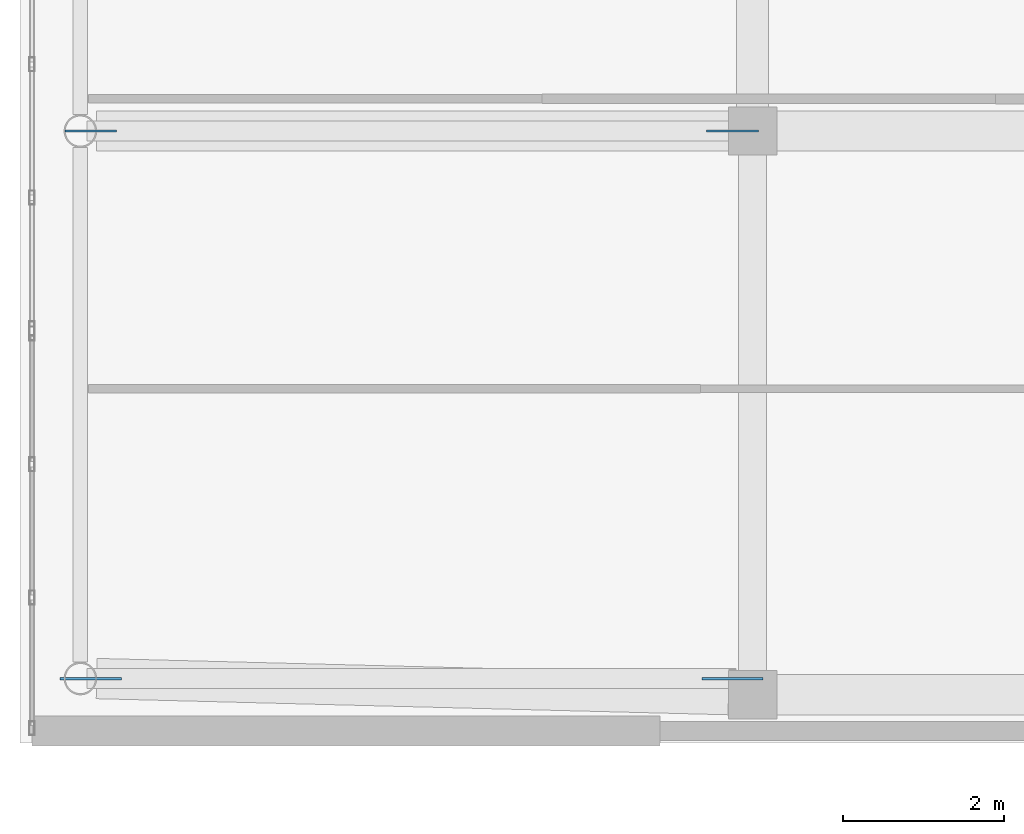
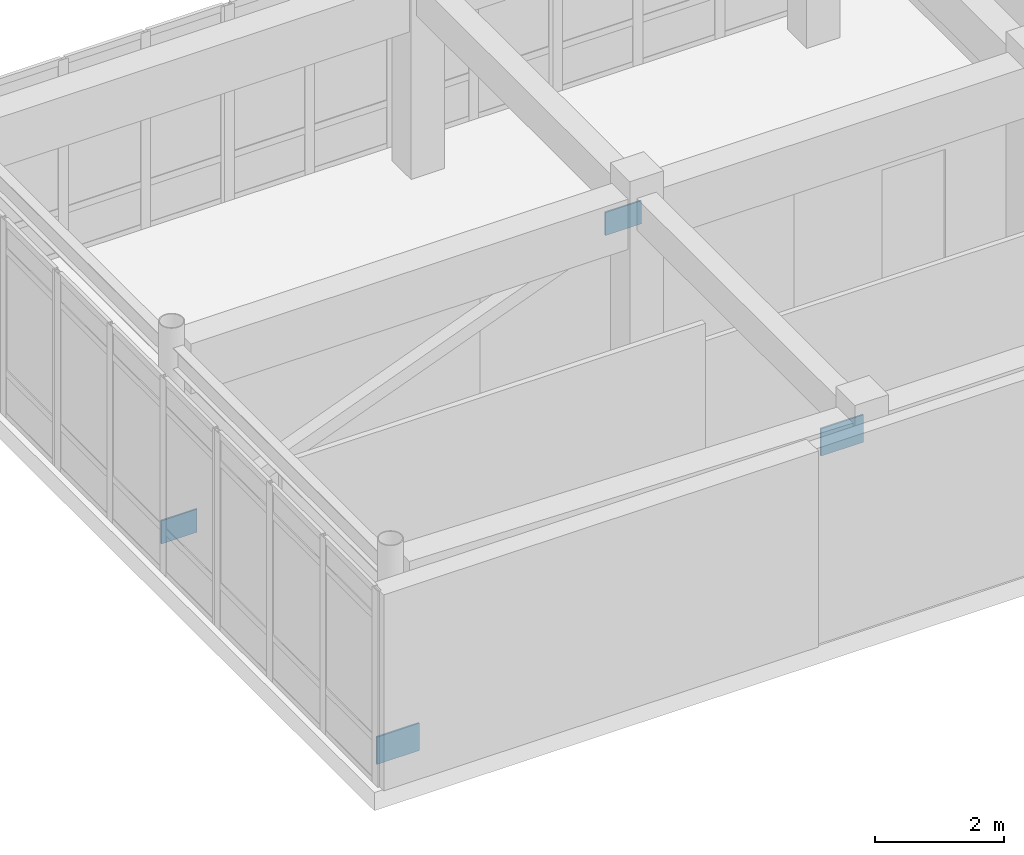
# One storey, part 70 of 91: 4 plates.
"""IFC4 building model written with IfcOpenShell, lengths in metres."""

from ifc_helpers import new_model, si_unit, direction, frame, origin, origin_2d, place, context, subcontext, project, spatial, rectangle, extrude, material, layer, layer_set, type_object, element, save


model = new_model("IFC4")

# Units and contexts
model_context = context("Model", 3, precision=1e-05, world=origin(), true_north=direction((0.0, 1.0)))
body_context = subcontext(model_context, "Body", "Model", "MODEL_VIEW")
ifc_project = project(units=[si_unit("LENGTHUNIT", "METRE"), si_unit("AREAUNIT", "SQUARE_METRE"), si_unit("VOLUMEUNIT", "CUBIC_METRE"), si_unit("PLANEANGLEUNIT", "RADIAN"), si_unit("MASSUNIT", "GRAM", prefix="KILO")], contexts=[model_context])

# Site, building, storey
site_placement = place(None, origin())
site = spatial("IfcSite", under=ifc_project, at=site_placement, CompositionType="ELEMENT")
building_placement = place(site_placement, origin())
building = spatial("IfcBuilding", under=site, at=building_placement, Name="Valcora Specialist Clinic", CompositionType="ELEMENT")
storey_placement = place(building_placement, frame((0.0, 0.0, 13.60009765625)))
storey = spatial("IfcBuildingStorey", under=building, at=storey_placement, Name="L03", CompositionType="ELEMENT", Elevation=13.60009765625)

# Plates
ifc_material = material(Name="Steel ASTM A572 Grade 50", Category="steel")
ifc_layer_1 = layer(ifc_material, 0.030029296875)
ifc_layer_set_1 = layer_set([ifc_layer_1], Name="Steel ASTM A572 Grade 50")
plate_type_1 = type_object("IfcPlateType", Name="TY-PL-CANT1", PredefinedType="USERDEFINED", material=ifc_layer_set_1)
for number, where, z_axis, x_axis, name in (
    (1, (8.85009765625, 8.39990234375, 2.93994140625), (0.0, 0.0, 1.0), (1.0, 0.0, 0.0), "Cantilever truss upper gusset L03"),
    (2, (0.8798828125, 8.39990234375, -0.1201171875), (0.0, 0.0, 1.0), (1.0, 0.0, 0.0), "Cantilever truss lower gusset L03"),
):
    element("IfcPlate", number, at=place(storey_placement, frame(where, z_axis=z_axis, x_axis=x_axis)), inside=storey, type_object=plate_type_1, Name=name, ObjectType="GUSSET_PLATE", PredefinedType="USERDEFINED", context=body_context, shape_type="SweptSolid", body=[
        extrude(rectangle(XDim=0.760009765625, YDim=0.030029296875, at=origin_2d()), origin(), (0.0, 0.0, 1.0), 0.52001953125),
    ])
ifc_layer_2 = layer(ifc_material, 0.028076171875)
ifc_layer_set_2 = layer_set([ifc_layer_2], Name="Steel ASTM A572 Grade 50")
plate_type_2 = type_object("IfcPlateType", Name="TY-PL-CANT2", PredefinedType="USERDEFINED", material=ifc_layer_set_2)
for number, where, z_axis, x_axis, name in (
    (3, (8.85009765625, 15.199951171875, 2.97998046875), (0.0, 0.0, 1.0), (1.0, 0.0, 0.0), "Cantilever truss upper gusset L03"),
    (4, (0.8798828125, 15.199951171875, -0.080078125), (0.0, 0.0, 1.0), (1.0, 0.0, 0.0), "Cantilever truss lower gusset L03"),
):
    element("IfcPlate", number, at=place(storey_placement, frame(where, z_axis=z_axis, x_axis=x_axis)), inside=storey, type_object=plate_type_2, Name=name, ObjectType="GUSSET_PLATE", PredefinedType="USERDEFINED", context=body_context, shape_type="SweptSolid", body=[
        extrude(rectangle(XDim=0.639892578125, YDim=0.028076171875, at=origin_2d()), origin(), (0.0, 0.0, 1.0), 0.43994140625),
    ])

save(model, "model.ifc")
